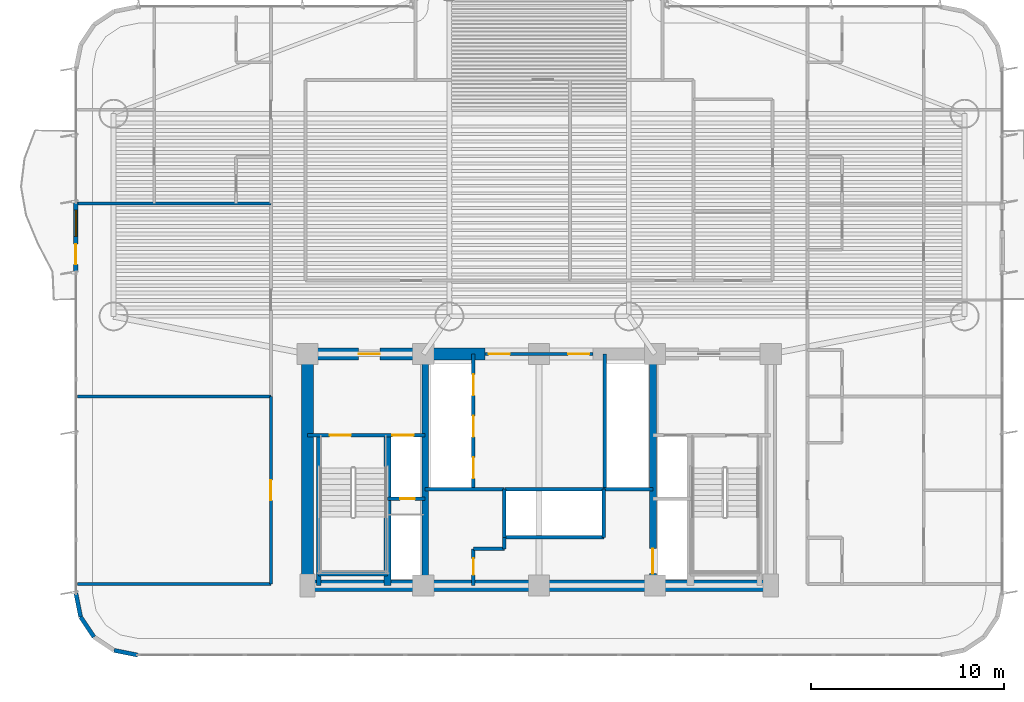
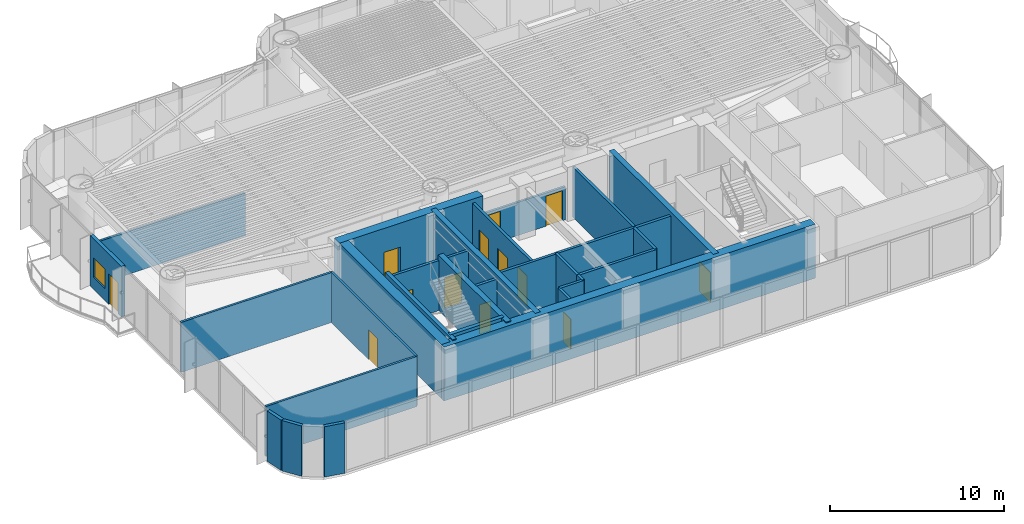
# One storey, part 10 of 18: 30 walls, 13 doors, 1 window, 14 openings.
"""IFC4 building model written with IfcOpenShell, lengths in metres."""

from ifc_helpers import new_model, si_unit, direction, frame, frame_2d, origin, origin_2d, place, context, subcontext, project, spatial, rectangle, extrude, source, transform, mapped, material, layer, layer_set, type_object, element, fill, save


model = new_model("IFC4")

# Units and contexts
model_context = context("Model", 3, precision=1e-05, world=origin(), true_north=direction((0.0, 1.0)))
body_context = subcontext(model_context, "Body", "Model", "MODEL_VIEW")
ifc_project = project(units=[si_unit("LENGTHUNIT", "METRE"), si_unit("AREAUNIT", "SQUARE_METRE"), si_unit("VOLUMEUNIT", "CUBIC_METRE"), si_unit("PLANEANGLEUNIT", "RADIAN"), si_unit("MASSUNIT", "GRAM", prefix="KILO")], contexts=[model_context])

# Site, building, storey
site_placement = place(None, origin())
site = spatial("IfcSite", under=ifc_project, at=site_placement, CompositionType="ELEMENT")
building_placement = place(site_placement, origin())
building = spatial("IfcBuilding", under=site, at=building_placement, Name="Brelvock Crest Care Tower", CompositionType="ELEMENT")
storey_placement = place(building_placement, frame((0.0, 0.0, 72.360107421875)))
storey = spatial("IfcBuildingStorey", under=building, at=storey_placement, Name="L18", CompositionType="ELEMENT", Elevation=72.360107421875)

# Walls
ifc_material_1 = material(Name="Concrete S80 (80 MPa)", Category="concrete")
ifc_layer_1 = layer(ifc_material_1, 0.60009765625, Name="WL-CS1")
ifc_layer_set_1 = layer_set([ifc_layer_1], Name="Concrete S80 (80 MPa)")
wall_type_1 = type_object("IfcWallType", Name="WL-CS1", PredefinedType="SHEAR", material=ifc_layer_set_1)
wall_1_placement = place(storey_placement, frame((48.300048828125, 6.0, 0.0), z_axis=(0.0, 0.0, 1.0), x_axis=(-1.0, 0.0, 0.0)))
element("IfcWall", 1, at=wall_1_placement, inside=storey, type_object=wall_type_1, Name="L18 Core South Shear Wall", PredefinedType="SHEAR", context=body_context, shape_type="SweptSolid", body=[
    extrude(rectangle(XDim=24.60009765625, YDim=0.60009765625, at=frame_2d((12.300048828125, 0.0))), origin(), (0.0, 0.0, 1.0), 3.77978515625),
])
wall_2_placement = place(storey_placement, frame((24.0, 6.0, 0.0), z_axis=(0.0, 0.0, 1.0), x_axis=(0.0, 1.0, 0.0)))
element("IfcWall", 2, at=wall_2_placement, inside=storey, type_object=wall_type_1, Name="L18 Core West Shear Wall", PredefinedType="SHEAR", context=body_context, shape_type="SweptSolid", body=[
    extrude(rectangle(XDim=12.0, YDim=0.60009765625, at=frame_2d((6.0, 0.0))), origin(), (0.0, 0.0, 1.0), 3.77978515625),
])

# Wall, opening, door
wall_3_placement = place(storey_placement, frame((23.699951171875, 18.0, 0.0), z_axis=(0.0, 0.0, 1.0), x_axis=(1.0, 0.0, 0.0)))
wall_3 = element("IfcWall", 3, at=wall_3_placement, inside=storey, type_object=wall_type_1, Name="L18 Core North-West Shear Wall", PredefinedType="SHEAR", context=body_context, shape_type="SweptSolid", body=[
    extrude(rectangle(XDim=9.5, YDim=0.60009765625, at=frame_2d((4.75, 0.0))), origin(), (0.0, 0.0, 1.0), 3.77978515625),
])
opening_1_placement = place(wall_3_placement, frame((2.949951171875, 0.0, 0.0)))
opening_1 = element("IfcOpeningElement", 4, at=opening_1_placement, cuts=wall_3, Name="Opening FD-1", PredefinedType="OPENING", context=body_context, shape_type="SweptSolid", body=[
    extrude(rectangle(XDim=1.10009765625, YDim=2.10009765625, at=origin_2d()), frame((0.550048828125, 0.31005859375, 1.050048828125), z_axis=(0.0, -1.0, 0.0), x_axis=(1.0, 0.0, 0.0)), (0.0, 0.0, 1.0), 0.6201171875),
])
ifc_material_2 = material(Name="Steel Grade 350", Category="steel")
door_type_1 = type_object("IfcDoorType", Name="DR-FFL1", OperationType="NOTDEFINED", PredefinedType="DOOR", material=ifc_material_2)
shared_shape_1 = source(origin(), body_context, "Body", "SweptSolid", [
    extrude(rectangle(XDim=1.10009765625, YDim=2.10009765625, at=origin_2d()), frame((0.550048828125, 0.02490234375, 1.050048828125), z_axis=(0.0, -1.0, 0.0), x_axis=(1.0, 0.0, 0.0)), (0.0, 0.0, 1.0), 0.050048828125),
])
door_1_placement = place(opening_1_placement, origin())
door_1 = element("IfcDoor", 5, at=door_1_placement, inside=storey, type_object=door_type_1, Name="L18 Firefighting Lobby FFL-1 Exit Door", OperationType="SINGLE_SWING_LEFT", OverallHeight=2.10009765625, OverallWidth=1.10009765625, PredefinedType="DOOR", context=body_context, shape_type="MappedRepresentation", body=[
    mapped(shared_shape_1, transform((0.0, 0.0, 0.0), x_axis=(1.0, 0.0, 0.0), y_axis=(0.0, 1.0, 0.0), z_axis=(0.0, 0.0, 1.0), scale=1.0)),
])
fill(opening_1, door_1)

# Wall
ifc_layer_2 = layer(ifc_material_1, 0.35009765625, Name="WL-CS5")
ifc_layer_set_2 = layer_set([ifc_layer_2], Name="Concrete S80 (80 MPa)")
wall_type_2 = type_object("IfcWallType", Name="WL-CS5", PredefinedType="SHEAR", material=ifc_layer_set_2)
wall_4_placement = place(storey_placement, frame((30.10009765625, 6.0, 0.0), z_axis=(0.0, 0.0, 1.0), x_axis=(0.0, 1.0, 0.0)))
element("IfcWall", 6, at=wall_4_placement, inside=storey, type_object=wall_type_2, Name="L18 Core Internal Web Wall West", PredefinedType="SHEAR", context=body_context, shape_type="SweptSolid", body=[
    extrude(rectangle(XDim=12.0, YDim=0.35009765625, at=frame_2d((6.0, 0.0))), origin(), (0.0, 0.0, 1.0), 3.77978515625),
])

# Wall, opening, door
wall_5_placement = place(storey_placement, frame((41.89990234375, 18.0, 0.0), z_axis=(0.0, 0.0, 1.0), x_axis=(0.0, -1.0, 0.0)))
wall_5 = element("IfcWall", 7, at=wall_5_placement, inside=storey, type_object=wall_type_2, Name="L18 Core Internal Web Wall East", PredefinedType="SHEAR", context=body_context, shape_type="SweptSolid", body=[
    extrude(rectangle(XDim=12.0, YDim=0.35009765625, at=frame_2d((6.0, 0.0))), origin(), (0.0, 0.0, 1.0), 3.77978515625),
])
opening_2_placement = place(wall_5_placement, frame((10.080078125, 0.0, 0.0)))
opening_2 = element("IfcOpeningElement", 8, at=opening_2_placement, cuts=wall_5, Name="Opening LD-S", PredefinedType="OPENING", context=body_context, shape_type="SweptSolid", body=[
    extrude(rectangle(XDim=1.300048828125, YDim=2.10009765625, at=origin_2d()), frame((0.64990234375, 0.18505859375, 1.050048828125), z_axis=(0.0, -1.0, 0.0), x_axis=(1.0, 0.0, 0.0)), (0.0, 0.0, 1.0), 0.3701171875),
])
door_type_2 = type_object("IfcDoorType", Name="DR-LDS1", OperationType="NOTDEFINED", PredefinedType="DOOR", material=ifc_material_2)
shared_shape_2 = source(origin(), body_context, "Body", "SweptSolid", [
    extrude(rectangle(XDim=1.300048828125, YDim=2.10009765625, at=origin_2d()), frame((0.64990234375, 0.02490234375, 1.050048828125), z_axis=(0.0, -1.0, 0.0), x_axis=(1.0, 0.0, 0.0)), (0.0, 0.0, 1.0), 0.050048828125),
])
door_2_placement = place(opening_2_placement, origin())
door_2 = element("IfcDoor", 9, at=door_2_placement, inside=storey, type_object=door_type_2, Name="L18 Clinical Bed Lift SL-1 Landing Door", OperationType="SLIDING_TO_LEFT", OverallHeight=2.10009765625, OverallWidth=1.300048828125, PredefinedType="DOOR", context=body_context, shape_type="MappedRepresentation", body=[
    mapped(shared_shape_2, transform((0.0, 0.0, 0.0), x_axis=(1.0, 0.0, 0.0), y_axis=(0.0, 1.0, 0.0), z_axis=(0.0, 0.0, 1.0), scale=1.0)),
])
fill(opening_2, door_2)

# Walls
wall_6_placement = place(storey_placement, frame((28.14990234375, 6.0, 0.0), z_axis=(0.0, 0.0, 1.0), x_axis=(0.0, 1.0, 0.0)))
element("IfcWall", 10, at=wall_6_placement, inside=storey, type_object=wall_type_2, Name="L18 Core Stair ST-1 East Shear Wall", PredefinedType="SHEAR", context=body_context, shape_type="SweptSolid", body=[
    extrude(rectangle(XDim=7.780029296875, YDim=0.35009765625, at=frame_2d((3.89013671875, 0.0))), origin(), (0.0, 0.0, 1.0), 3.849853515625),
])
ifc_layer_3 = layer(ifc_material_1, 0.25, Name="WL-CS6")
ifc_layer_set_3 = layer_set([ifc_layer_3], Name="Concrete S80 (80 MPa)")
wall_type_3 = type_object("IfcWallType", Name="WL-CS6", PredefinedType="SHEAR", material=ifc_layer_set_3)
wall_7_placement = place(storey_placement, frame((24.580078125, 6.0, 0.0), z_axis=(0.0, 0.0, 1.0), x_axis=(0.0, 1.0, 0.0)))
element("IfcWall", 11, at=wall_7_placement, inside=storey, type_object=wall_type_3, Name="L18 Core Stair ST-1 West Shear Wall", PredefinedType="SHEAR", context=body_context, shape_type="SweptSolid", body=[
    extrude(rectangle(XDim=7.780029296875, YDim=0.25, at=frame_2d((3.89013671875, 0.0))), origin(), (0.0, 0.0, 1.0), 3.849853515625),
])
wall_8_placement = place(storey_placement, frame((24.580078125, 6.6201171875, 0.0), z_axis=(0.0, 0.0, 1.0), x_axis=(1.0, 0.0, 0.0)))
element("IfcWall", 12, at=wall_8_placement, inside=storey, type_object=wall_type_3, Name="L18 Core Stair ST-1 South Shear Wall", PredefinedType="SHEAR", context=body_context, shape_type="SweptSolid", body=[
    extrude(rectangle(XDim=3.56982421875, YDim=0.25, at=frame_2d((1.784912109375, 0.0))), origin(), (0.0, 0.0, 1.0), 3.849853515625),
])

# Wall, openings, door, window
ifc_material_3 = material(Name="Precast concrete N40 (40 MPa)", Category="concrete")
ifc_layer_4 = layer(ifc_material_3, 0.239990234375, Name="WL-EX1")
ifc_layer_set_4 = layer_set([ifc_layer_4], Name="Precast concrete N40 (40 MPa)")
wall_type_4 = type_object("IfcWallType", Name="WL-EX1", PredefinedType="SOLIDWALL", material=ifc_layer_set_4)
wall_9_placement = place(storey_placement, frame((12.0, 22.25, 0.0), z_axis=(0.0, 0.0, 1.0), x_axis=(0.0, 1.0, 0.0)))
wall_9 = element("IfcWall", 13, at=wall_9_placement, inside=storey, type_object=wall_type_4, Name="L18 Exterior Spandrel Wall WL-BAL-L18-W", PredefinedType="SOLIDWALL", context=body_context, shape_type="SweptSolid", body=[
    extrude(rectangle(XDim=3.60009765625, YDim=0.239990234375, at=frame_2d((1.800048828125, 0.0))), origin(), (0.0, 0.0, 1.0), 3.52978515625),
])
opening_3_placement = place(wall_9_placement, frame((0.39990234375, 0.0, 0.0)))
opening_3 = element("IfcOpeningElement", 14, at=opening_3_placement, cuts=wall_9, Name="Opening BD-1", PredefinedType="OPENING", context=body_context, shape_type="SweptSolid", body=[
    extrude(rectangle(XDim=1.050048828125, YDim=2.14990234375, at=origin_2d()), frame((0.52490234375, 0.1298828125, 1.074951171875), z_axis=(0.0, -1.0, 0.0), x_axis=(1.0, 0.0, 0.0)), (0.0, 0.0, 1.0), 0.260009765625),
])
opening_4_placement = place(wall_9_placement, frame((1.85009765625, 0.0, 0.85009765625)))
opening_4 = element("IfcOpeningElement", 15, at=opening_4_placement, cuts=wall_9, Name="Opening W-01", PredefinedType="OPENING", context=body_context, shape_type="SweptSolid", body=[
    extrude(rectangle(XDim=1.35009765625, YDim=1.35009765625, at=origin_2d()), frame((0.675048828125, 0.1298828125, 0.675048828125), z_axis=(0.0, -1.0, 0.0), x_axis=(1.0, 0.0, 0.0)), (0.0, 0.0, 1.0), 0.260009765625),
])
ifc_material_4 = material(Name="Dark Glass Double Glazed Low-E", Category="glass")
door_type_3 = type_object("IfcDoorType", Name="DR-BAL1", OperationType="NOTDEFINED", PredefinedType="DOOR", material=ifc_material_4)
shared_shape_3 = source(origin(), body_context, "Body", "SweptSolid", [
    extrude(rectangle(XDim=1.050048828125, YDim=2.14990234375, at=origin_2d()), frame((0.52490234375, 0.02490234375, 1.074951171875), z_axis=(0.0, -1.0, 0.0), x_axis=(1.0, 0.0, 0.0)), (0.0, 0.0, 1.0), 0.050048828125),
])
door_3_placement = place(opening_3_placement, origin())
door_3 = element("IfcDoor", 16, at=door_3_placement, inside=storey, type_object=door_type_3, Name="L18 W Wave Balcony Glazed Door", OperationType="SINGLE_SWING_LEFT", OverallHeight=2.14990234375, OverallWidth=1.050048828125, PredefinedType="DOOR", context=body_context, shape_type="MappedRepresentation", body=[
    mapped(shared_shape_3, transform((0.0, 0.0, 0.0), x_axis=(1.0, 0.0, 0.0), y_axis=(0.0, 1.0, 0.0), z_axis=(0.0, 0.0, 1.0), scale=1.0)),
])
fill(opening_3, door_3)
window_type = type_object("IfcWindowType", Name="WN-EX1", PartitioningType="SINGLE_PANEL", PredefinedType="WINDOW", material=ifc_material_4)
shared_shape_4 = source(origin(), body_context, "Body", "SweptSolid", [
    extrude(rectangle(XDim=1.35009765625, YDim=1.35009765625, at=origin_2d()), frame((0.675048828125, 0.030029296875, 0.675048828125), z_axis=(0.0, -1.0, 0.0), x_axis=(1.0, 0.0, 0.0)), (0.0, 0.0, 1.0), 0.06005859375),
])
window_placement = place(opening_4_placement, origin())
window = element("IfcWindow", 17, at=window_placement, inside=storey, type_object=window_type, Name="L18 W Suite Casement Window", OverallHeight=1.35009765625, OverallWidth=1.35009765625, PartitioningType="SINGLE_PANEL", PredefinedType="WINDOW", context=body_context, shape_type="MappedRepresentation", body=[
    mapped(shared_shape_4, transform((0.0, 0.0, 0.0), x_axis=(1.0, 0.0, 0.0), y_axis=(0.0, 1.0, 0.0), z_axis=(0.0, 0.0, 1.0), scale=1.0)),
])
fill(opening_4, window)

# Walls
ifc_layer_5 = layer(ifc_material_3, 0.215087890625, Name="WL-EX2")
ifc_layer_set_5 = layer_set([ifc_layer_5], Name="Precast concrete N40 (40 MPa)")
wall_type_5 = type_object("IfcWallType", Name="WL-EX2", PredefinedType="SOLIDWALL", material=ifc_layer_set_5)
for number, where, z_axis, x_axis, name in (
    (18, (15.199951171875, 2.39990234375, 0.0), (0.0, 0.0, 1.0), (-0.980775717779, 0.195138390419, 0.0), "L18 Rounded Corner Wall 09"),
    (19, (12.937255859375, 3.33740234375, 0.0), (0.0, 0.0, 1.0), (-0.555557312883, 0.831478245117, 0.0), "L18 Rounded Corner Wall 11"),
    (20, (12.24365234375, 4.37548828125, 0.0), (0.0, 0.0, 1.0), (-0.195138390419, 0.980775717779, 0.0), "L18 Rounded Corner Wall 12"),
):
    element("IfcWall", number, at=place(storey_placement, frame(where, z_axis=z_axis, x_axis=x_axis)), inside=storey, type_object=wall_type_5, Name=name, PredefinedType="SOLIDWALL", context=body_context, shape_type="SweptSolid", body=[
        extrude(rectangle(XDim=1.24853515625, YDim=0.215087890625, at=frame_2d((0.624267578125, 0.0))), origin(), (0.0, 0.0, 1.0), 3.52978515625),
    ])

# Wall, openings, doors
ifc_material_5 = material(Name="Masonry Blockwork Acoustic Partition", Category="masonry")
ifc_layer_6 = layer(ifc_material_5, 0.14990234375, Name="WL-INT1")
ifc_layer_set_6 = layer_set([ifc_layer_6], Name="Masonry Blockwork Acoustic Partition")
wall_type_6 = type_object("IfcWallType", Name="WL-INT1", PredefinedType="PARTITIONING", material=ifc_layer_set_6)
wall_10_placement = place(storey_placement, frame((33.199951171875, 18.0, 0.0), z_axis=(0.0, 0.0, 1.0), x_axis=(1.0, 0.0, 0.0)))
wall_10 = element("IfcWall", 21, at=wall_10_placement, inside=storey, type_object=wall_type_6, Name="L18 Interior Wall WL-CORE-NPORT-L18", PredefinedType="PARTITIONING", context=body_context, shape_type="SweptSolid", body=[
    extrude(rectangle(XDim=5.60009765625, YDim=0.14990234375, at=frame_2d((2.800048828125, 0.0))), origin(), (0.0, 0.0, 1.0), 2.31494140625),
])
opening_5_placement = place(wall_10_placement, frame((0.18994140625, 0.0, 0.0)))
opening_5 = element("IfcOpeningElement", 22, at=opening_5_placement, cuts=wall_10, Name="Opening FD-1", PredefinedType="OPENING", context=body_context, shape_type="SweptSolid", body=[
    extrude(rectangle(XDim=1.10009765625, YDim=2.10009765625, at=origin_2d()), frame((0.550048828125, 0.0849609375, 1.050048828125), z_axis=(0.0, -1.0, 0.0), x_axis=(1.0, 0.0, 0.0)), (0.0, 0.0, 1.0), 0.169921875),
])
opening_6_placement = place(wall_10_placement, frame((4.31005859375, 0.0, 0.0)))
opening_6 = element("IfcOpeningElement", 23, at=opening_6_placement, cuts=wall_10, Name="Opening FD-1", PredefinedType="OPENING", context=body_context, shape_type="SweptSolid", body=[
    extrude(rectangle(XDim=1.10009765625, YDim=2.10009765625, at=origin_2d()), frame((0.550048828125, 0.0849609375, 1.050048828125), z_axis=(0.0, -1.0, 0.0), x_axis=(1.0, 0.0, 0.0)), (0.0, 0.0, 1.0), 0.169921875),
])
door_4_placement = place(opening_5_placement, origin())
door_4 = element("IfcDoor", 24, at=door_4_placement, inside=storey, type_object=door_type_1, Name="L18 Lift Lobby North Smoke Door West", OperationType="SINGLE_SWING_LEFT", OverallHeight=2.10009765625, OverallWidth=1.10009765625, PredefinedType="DOOR", context=body_context, shape_type="MappedRepresentation", body=[
    mapped(shared_shape_1, transform((0.0, 0.0, 0.0), x_axis=(1.0, 0.0, 0.0), y_axis=(0.0, 1.0, 0.0), z_axis=(0.0, 0.0, 1.0), scale=1.0)),
])
fill(opening_5, door_4)
door_5_placement = place(opening_6_placement, origin())
door_5 = element("IfcDoor", 25, at=door_5_placement, inside=storey, type_object=door_type_1, Name="L18 Lift Lobby North Smoke Door East", OperationType="SINGLE_SWING_RIGHT", OverallHeight=2.10009765625, OverallWidth=1.10009765625, PredefinedType="DOOR", context=body_context, shape_type="MappedRepresentation", body=[
    mapped(shared_shape_1, transform((0.0, 0.0, 0.0), x_axis=(1.0, 0.0, 0.0), y_axis=(0.0, 1.0, 0.0), z_axis=(0.0, 0.0, 1.0), scale=1.0)),
])
fill(opening_6, door_5)

# Walls
for number, where, z_axis, x_axis, name in (
    (26, (12.080078125, 6.080078125, 0.0), (0.0, 0.0, 1.0), (1.0, 0.0, 0.0), "L18 Interior Wall WL-BX-L18-WWC1-S"),
    (27, (12.080078125, 15.800048828125, 0.0), (0.0, 0.0, 1.0), (1.0, 0.0, 0.0), "L18 Interior Wall WL-BX-L18-WWC1-N"),
):
    element("IfcWall", number, at=place(storey_placement, frame(where, z_axis=z_axis, x_axis=x_axis)), inside=storey, type_object=wall_type_6, Name=name, PredefinedType="PARTITIONING", context=body_context, shape_type="SweptSolid", body=[
        extrude(rectangle(XDim=10.02001953125, YDim=0.14990234375, at=frame_2d((5.010009765625, 0.0))), origin(), (0.0, 0.0, 1.0), 3.5),
    ])
wall_11_placement = place(storey_placement, frame((12.080078125, 25.800048828125, 0.0), z_axis=(0.0, 0.0, 1.0), x_axis=(1.0, 0.0, 0.0)))
element("IfcWall", 28, at=wall_11_placement, inside=storey, type_object=wall_type_6, Name="L18 Interior Wall WL-BX-L18-FL-WW3-S", PredefinedType="PARTITIONING", context=body_context, shape_type="SweptSolid", body=[
    extrude(rectangle(XDim=10.02001953125, YDim=0.14990234375, at=frame_2d((5.010009765625, 0.0))), origin(), (0.0, 0.0, 1.0), 2.98193359375),
])

# Wall, opening, door
wall_12_placement = place(storey_placement, frame((22.10009765625, 6.080078125, 0.0), z_axis=(0.0, 0.0, 1.0), x_axis=(0.0, 1.0, 0.0)))
wall_12 = element("IfcWall", 29, at=wall_12_placement, inside=storey, type_object=wall_type_6, Name="L18 Interior Wall WL-RM-L18-WWC1", PredefinedType="PARTITIONING", context=body_context, shape_type="SweptSolid", body=[
    extrude(rectangle(XDim=9.719970703125, YDim=0.14990234375, at=frame_2d((4.85986328125, 0.0))), origin(), (0.0, 0.0, 1.0), 3.5),
])
opening_7_placement = place(wall_12_placement, frame((4.3349609375, 0.0, 0.0)))
opening_7 = element("IfcOpeningElement", 30, at=opening_7_placement, cuts=wall_12, Name="Opening CLD-1", PredefinedType="OPENING", context=body_context, shape_type="SweptSolid", body=[
    extrude(rectangle(XDim=1.050048828125, YDim=2.10009765625, at=origin_2d()), frame((0.52490234375, 0.0849609375, 1.050048828125), z_axis=(0.0, -1.0, 0.0), x_axis=(1.0, 0.0, 0.0)), (0.0, 0.0, 1.0), 0.169921875),
])
ifc_material_6 = material(Name="Engineered Hardwood Timber", Category="wood")
door_type_4 = type_object("IfcDoorType", Name="DR-CLN1", OperationType="NOTDEFINED", PredefinedType="DOOR", material=ifc_material_6)
shared_shape_5 = source(origin(), body_context, "Body", "SweptSolid", [
    extrude(rectangle(XDim=1.050048828125, YDim=2.10009765625, at=origin_2d()), frame((0.52490234375, 0.02490234375, 1.050048828125), z_axis=(0.0, -1.0, 0.0), x_axis=(1.0, 0.0, 0.0)), (0.0, 0.0, 1.0), 0.050048828125),
])
door_6_placement = place(opening_7_placement, origin())
door_6 = element("IfcDoor", 31, at=door_6_placement, inside=storey, type_object=door_type_4, Name="L18 Hydro-Balance Physiotherapy Clinic Door WWC1", OperationType="SINGLE_SWING_LEFT", OverallHeight=2.10009765625, OverallWidth=1.050048828125, PredefinedType="DOOR", context=body_context, shape_type="MappedRepresentation", body=[
    mapped(shared_shape_5, transform((0.0, 0.0, 0.0), x_axis=(1.0, 0.0, 0.0), y_axis=(0.0, 1.0, 0.0), z_axis=(0.0, 0.0, 1.0), scale=1.0)),
])
fill(opening_7, door_6)

# Walls
ifc_layer_7 = layer(ifc_material_5, 0.179931640625, Name="WL-SHF1")
ifc_layer_set_7 = layer_set([ifc_layer_7], Name="Masonry Blockwork Acoustic Partition")
wall_type_7 = type_object("IfcWallType", Name="WL-SHF1", PredefinedType="PARTITIONING", material=ifc_layer_set_7)
for number, where, z_axis, x_axis, name in (
    (32, (34.199951171875, 11.0, 0.0), (0.0, 0.0, 1.0), (1.0, 0.0, 0.0), "L18 Interior Wall WL-PLM-SHF-L18"),
    (33, (34.199951171875, 8.5, 0.0), (0.0, 0.0, 1.0), (1.0, 0.0, 0.0), "L18 Interior Wall WL-PLM-S-L18"),
):
    element("IfcWall", number, at=place(storey_placement, frame(where, z_axis=z_axis, x_axis=x_axis)), inside=storey, type_object=wall_type_7, Name=name, PredefinedType="PARTITIONING", context=body_context, shape_type="SweptSolid", body=[
        extrude(rectangle(XDim=5.150146484375, YDim=0.179931640625, at=frame_2d((2.5751953125, 0.0))), origin(), (0.0, 0.0, 1.0), 3.5),
    ])
for number, where, z_axis, x_axis, name in (
    (34, (34.199951171875, 8.5, 0.0), (0.0, 0.0, 1.0), (0.0, 1.0, 0.0), "L18 Interior Wall WL-PLM-W-L18"),
    (35, (39.35009765625, 8.5, 0.0), (0.0, 0.0, 1.0), (0.0, 1.0, 0.0), "L18 Interior Wall WL-PLM-E-L18"),
):
    element("IfcWall", number, at=place(storey_placement, frame(where, z_axis=z_axis, x_axis=x_axis)), inside=storey, type_object=wall_type_7, Name=name, PredefinedType="PARTITIONING", context=body_context, shape_type="SweptSolid", body=[
        extrude(rectangle(XDim=2.5, YDim=0.179931640625, at=frame_2d((1.25, 0.0))), origin(), (0.0, 0.0, 1.0), 3.5),
    ])
wall_13_placement = place(storey_placement, frame((39.39990234375, 11.0, 0.0), z_axis=(0.0, 0.0, 1.0), x_axis=(0.0, 1.0, 0.0)))
element("IfcWall", 36, at=wall_13_placement, inside=storey, type_object=wall_type_7, Name="L18 Interior Wall WL-PLH-SHF-L18", PredefinedType="PARTITIONING", context=body_context, shape_type="SweptSolid", body=[
    extrude(rectangle(XDim=7.0, YDim=0.179931640625, at=frame_2d((3.5, 0.0))), origin(), (0.0, 0.0, 1.0), 3.5),
])
wall_14_placement = place(storey_placement, frame((30.10009765625, 10.97998046875, 0.0), z_axis=(0.0, 0.0, 1.0), x_axis=(1.0, 0.0, 0.0)))
element("IfcWall", 37, at=wall_14_placement, inside=storey, type_object=wall_type_7, Name="L18 Interior Wall WL-CSBW-N-L18", PredefinedType="PARTITIONING", context=body_context, shape_type="SweptSolid", body=[
    extrude(rectangle(XDim=4.079833984375, YDim=0.179931640625, at=frame_2d((2.0400390625, 0.0))), origin(), (0.0, 0.0, 1.0), 3.5),
])
wall_15_placement = place(storey_placement, frame((34.199951171875, 7.89990234375, 0.0), z_axis=(0.0, 0.0, 1.0), x_axis=(0.0, 1.0, 0.0)))
element("IfcWall", 38, at=wall_15_placement, inside=storey, type_object=wall_type_7, Name="L18 Interior Wall WL-CSBW-E2-L18", PredefinedType="PARTITIONING", context=body_context, shape_type="SweptSolid", body=[
    extrude(rectangle(XDim=0.60009765625, YDim=0.179931640625, at=frame_2d((0.300048828125, 0.0))), origin(), (0.0, 0.0, 1.0), 3.5),
])
wall_16_placement = place(storey_placement, frame((32.60009765625, 7.89990234375, 0.0), z_axis=(0.0, 0.0, 1.0), x_axis=(1.0, 0.0, 0.0)))
element("IfcWall", 39, at=wall_16_placement, inside=storey, type_object=wall_type_7, Name="L18 Interior Wall WL-CSBW-S2-L18", PredefinedType="PARTITIONING", context=body_context, shape_type="SweptSolid", body=[
    extrude(rectangle(XDim=1.599853515625, YDim=0.179931640625, at=frame_2d((0.7998046875, 0.0))), origin(), (0.0, 0.0, 1.0), 3.5),
])

# Wall, opening, door
wall_17_placement = place(storey_placement, frame((32.60009765625, 6.0, 0.0), z_axis=(0.0, 0.0, 1.0), x_axis=(0.0, 1.0, 0.0)))
wall_17 = element("IfcWall", 40, at=wall_17_placement, inside=storey, type_object=wall_type_7, Name="L18 Interior Wall WL-CSBW-E1-L18", PredefinedType="PARTITIONING", context=body_context, shape_type="SweptSolid", body=[
    extrude(rectangle(XDim=1.89990234375, YDim=0.179931640625, at=frame_2d((0.949951171875, 0.0))), origin(), (0.0, 0.0, 1.0), 3.5),
])
opening_8_placement = place(wall_17_placement, frame((0.550048828125, 0.0, 0.0)))
opening_8 = element("IfcOpeningElement", 41, at=opening_8_placement, cuts=wall_17, Name="Opening ID-1", PredefinedType="OPENING", context=body_context, shape_type="SweptSolid", body=[
    extrude(rectangle(XDim=0.860107421875, YDim=2.10009765625, at=origin_2d()), frame((0.43017578125, 0.10009765625, 1.050048828125), z_axis=(0.0, -1.0, 0.0), x_axis=(1.0, 0.0, 0.0)), (0.0, 0.0, 1.0), 0.199951171875),
])
door_type_5 = type_object("IfcDoorType", Name="DR-INT1", OperationType="NOTDEFINED", PredefinedType="DOOR", material=ifc_material_6)
shared_shape_6 = source(origin(), body_context, "Body", "SweptSolid", [
    extrude(rectangle(XDim=0.860107421875, YDim=2.10009765625, at=origin_2d()), frame((0.43017578125, 0.02490234375, 1.050048828125), z_axis=(0.0, -1.0, 0.0), x_axis=(1.0, 0.0, 0.0)), (0.0, 0.0, 1.0), 0.050048828125),
])
door_7_placement = place(opening_8_placement, origin())
door_7 = element("IfcDoor", 42, at=door_7_placement, inside=storey, type_object=door_type_5, Name="DR-CSBW-L18", OperationType="SINGLE_SWING_LEFT", OverallHeight=2.10009765625, OverallWidth=0.860107421875, PredefinedType="DOOR", context=body_context, shape_type="MappedRepresentation", body=[
    mapped(shared_shape_6, transform((0.0, 0.0, 0.0), x_axis=(1.0, 0.0, 0.0), y_axis=(0.0, 1.0, 0.0), z_axis=(0.0, 0.0, 1.0), scale=1.0)),
])
fill(opening_8, door_7)

# Wall
wall_18_placement = place(storey_placement, frame((39.35009765625, 10.97998046875, 0.0), z_axis=(0.0, 0.0, 1.0), x_axis=(1.0, 0.0, 0.0)))
element("IfcWall", 43, at=wall_18_placement, inside=storey, type_object=wall_type_7, Name="L18 Interior Wall WL-CSBE-N-L18", PredefinedType="PARTITIONING", context=body_context, shape_type="SweptSolid", body=[
    extrude(rectangle(XDim=2.5498046875, YDim=0.179931640625, at=frame_2d((1.27490234375, 0.0))), origin(), (0.0, 0.0, 1.0), 3.5),
])

# Wall, openings, doors
wall_19_placement = place(storey_placement, frame((24.0, 13.780029296875, 0.0), z_axis=(0.0, 0.0, 1.0), x_axis=(1.0, 0.0, 0.0)))
wall_19 = element("IfcWall", 44, at=wall_19_placement, inside=storey, type_object=wall_type_7, Name="L18 Interior Wall WL-ST1-N-L18", PredefinedType="PARTITIONING", context=body_context, shape_type="SweptSolid", body=[
    extrude(rectangle(XDim=6.10009765625, YDim=0.179931640625, at=frame_2d((3.050048828125, 0.0))), origin(), (0.0, 0.0, 1.0), 3.5),
])
opening_9_placement = place(wall_19_placement, frame((1.14990234375, 0.0, 0.0)))
opening_9 = element("IfcOpeningElement", 45, at=opening_9_placement, cuts=wall_19, Name="Opening SD-1", PredefinedType="OPENING", context=body_context, shape_type="SweptSolid", body=[
    extrude(rectangle(XDim=1.10009765625, YDim=2.10009765625, at=origin_2d()), frame((0.550048828125, 0.10009765625, 1.050048828125), z_axis=(0.0, -1.0, 0.0), x_axis=(1.0, 0.0, 0.0)), (0.0, 0.0, 1.0), 0.199951171875),
])
opening_10_placement = place(wall_19_placement, frame((4.39990234375, 0.0, 0.0)))
opening_10 = element("IfcOpeningElement", 46, at=opening_10_placement, cuts=wall_19, Name="Opening LD", PredefinedType="OPENING", context=body_context, shape_type="SweptSolid", body=[
    extrude(rectangle(XDim=1.10009765625, YDim=2.10009765625, at=origin_2d()), frame((0.550048828125, 0.10009765625, 1.050048828125), z_axis=(0.0, -1.0, 0.0), x_axis=(1.0, 0.0, 0.0)), (0.0, 0.0, 1.0), 0.199951171875),
])
door_type_6 = type_object("IfcDoorType", Name="DR-ST1", OperationType="NOTDEFINED", PredefinedType="DOOR", material=ifc_material_2)
shared_shape_7 = source(origin(), body_context, "Body", "SweptSolid", [
    extrude(rectangle(XDim=1.10009765625, YDim=2.10009765625, at=origin_2d()), frame((0.550048828125, 0.02490234375, 1.050048828125), z_axis=(0.0, -1.0, 0.0), x_axis=(1.0, 0.0, 0.0)), (0.0, 0.0, 1.0), 0.050048828125),
])
door_8_placement = place(opening_9_placement, origin())
door_8 = element("IfcDoor", 47, at=door_8_placement, inside=storey, type_object=door_type_6, Name="L18 Fire Stair ST-1 Door", OperationType="SINGLE_SWING_LEFT", OverallHeight=2.10009765625, OverallWidth=1.10009765625, PredefinedType="DOOR", context=body_context, shape_type="MappedRepresentation", body=[
    mapped(shared_shape_7, transform((0.0, 0.0, 0.0), x_axis=(1.0, 0.0, 0.0), y_axis=(0.0, 1.0, 0.0), z_axis=(0.0, 0.0, 1.0), scale=1.0)),
])
fill(opening_9, door_8)
door_type_7 = type_object("IfcDoorType", Name="DR-LD1", OperationType="NOTDEFINED", PredefinedType="DOOR", material=ifc_material_2)
shared_shape_8 = source(origin(), body_context, "Body", "SweptSolid", [
    extrude(rectangle(XDim=1.10009765625, YDim=2.10009765625, at=origin_2d()), frame((0.550048828125, 0.02490234375, 1.050048828125), z_axis=(0.0, -1.0, 0.0), x_axis=(1.0, 0.0, 0.0)), (0.0, 0.0, 1.0), 0.050048828125),
])
door_9_placement = place(opening_10_placement, origin())
door_9 = element("IfcDoor", 48, at=door_9_placement, inside=storey, type_object=door_type_7, Name="L18 Firefighting Lift FFL-1 Landing Door", OperationType="SLIDING_TO_LEFT", OverallHeight=2.10009765625, OverallWidth=1.10009765625, PredefinedType="DOOR", context=body_context, shape_type="MappedRepresentation", body=[
    mapped(shared_shape_8, transform((0.0, 0.0, 0.0), x_axis=(1.0, 0.0, 0.0), y_axis=(0.0, 1.0, 0.0), z_axis=(0.0, 0.0, 1.0), scale=1.0)),
])
fill(opening_10, door_9)

# Wall, opening, door
wall_20_placement = place(storey_placement, frame((28.14990234375, 10.5, 0.0), z_axis=(0.0, 0.0, 1.0), x_axis=(1.0, 0.0, 0.0)))
wall_20 = element("IfcWall", 49, at=wall_20_placement, inside=storey, type_object=wall_type_7, Name="L18 Interior Wall WL-FFH1-S-L18", PredefinedType="PARTITIONING", context=body_context, shape_type="SweptSolid", body=[
    extrude(rectangle(XDim=1.9501953125, YDim=0.179931640625, at=frame_2d((0.97509765625, 0.0))), origin(), (0.0, 0.0, 1.0), 3.5),
])
opening_11_placement = place(wall_20_placement, frame((0.64990234375, 0.0, 0.0)))
opening_11 = element("IfcOpeningElement", 50, at=opening_11_placement, cuts=wall_20, Name="Opening RD-1", PredefinedType="OPENING", context=body_context, shape_type="SweptSolid", body=[
    extrude(rectangle(XDim=0.760009765625, YDim=2.050048828125, at=origin_2d()), frame((0.3798828125, 0.10009765625, 1.02490234375), z_axis=(0.0, -1.0, 0.0), x_axis=(1.0, 0.0, 0.0)), (0.0, 0.0, 1.0), 0.199951171875),
])
door_type_8 = type_object("IfcDoorType", Name="DR-RIS1", OperationType="NOTDEFINED", PredefinedType="DOOR", material=ifc_material_2)
shared_shape_9 = source(origin(), body_context, "Body", "SweptSolid", [
    extrude(rectangle(XDim=0.760009765625, YDim=2.050048828125, at=origin_2d()), frame((0.3798828125, 0.02490234375, 1.02490234375), z_axis=(0.0, -1.0, 0.0), x_axis=(1.0, 0.0, 0.0)), (0.0, 0.0, 1.0), 0.050048828125),
])
door_10_placement = place(opening_11_placement, origin())
door_10 = element("IfcDoor", 51, at=door_10_placement, inside=storey, type_object=door_type_8, Name="L18 Wet Fire Riser Access Door", OperationType="SINGLE_SWING_LEFT", OverallHeight=2.050048828125, OverallWidth=0.760009765625, PredefinedType="DOOR", context=body_context, shape_type="MappedRepresentation", body=[
    mapped(shared_shape_9, transform((0.0, 0.0, 0.0), x_axis=(1.0, 0.0, 0.0), y_axis=(0.0, 1.0, 0.0), z_axis=(0.0, 0.0, 1.0), scale=1.0)),
])
fill(opening_11, door_10)

# Wall, openings, doors
wall_21_placement = place(storey_placement, frame((32.60009765625, 11.0, 0.0), z_axis=(0.0, 0.0, 1.0), x_axis=(0.0, 1.0, 0.0)))
wall_21 = element("IfcWall", 52, at=wall_21_placement, inside=storey, type_object=wall_type_7, Name="L18 Interior Wall WL-PLL-BANK-L18", PredefinedType="PARTITIONING", context=body_context, shape_type="SweptSolid", body=[
    extrude(rectangle(XDim=7.0, YDim=0.179931640625, at=frame_2d((3.5, 0.0))), origin(), (0.0, 0.0, 1.0), 3.5),
])
opening_12_placement = place(wall_21_placement, frame((0.550048828125, 0.0, 0.0)))
opening_12 = element("IfcOpeningElement", 53, at=opening_12_placement, cuts=wall_21, Name="Opening LD", PredefinedType="OPENING", context=body_context, shape_type="SweptSolid", body=[
    extrude(rectangle(XDim=1.10009765625, YDim=2.10009765625, at=origin_2d()), frame((0.550048828125, 0.10009765625, 1.050048828125), z_axis=(0.0, -1.0, 0.0), x_axis=(1.0, 0.0, 0.0)), (0.0, 0.0, 1.0), 0.199951171875),
])
opening_13_placement = place(wall_21_placement, frame((2.699951171875, 0.0, 0.0)))
opening_13 = element("IfcOpeningElement", 54, at=opening_13_placement, cuts=wall_21, Name="Opening LD", PredefinedType="OPENING", context=body_context, shape_type="SweptSolid", body=[
    extrude(rectangle(XDim=1.10009765625, YDim=2.10009765625, at=origin_2d()), frame((0.550048828125, 0.10009765625, 1.050048828125), z_axis=(0.0, -1.0, 0.0), x_axis=(1.0, 0.0, 0.0)), (0.0, 0.0, 1.0), 0.199951171875),
])
opening_14_placement = place(wall_21_placement, frame((4.85009765625, 0.0, 0.0)))
opening_14 = element("IfcOpeningElement", 55, at=opening_14_placement, cuts=wall_21, Name="Opening LD", PredefinedType="OPENING", context=body_context, shape_type="SweptSolid", body=[
    extrude(rectangle(XDim=1.10009765625, YDim=2.10009765625, at=origin_2d()), frame((0.550048828125, 0.10009765625, 1.050048828125), z_axis=(0.0, -1.0, 0.0), x_axis=(1.0, 0.0, 0.0)), (0.0, 0.0, 1.0), 0.199951171875),
])
door_11_placement = place(opening_12_placement, origin())
door_11 = element("IfcDoor", 56, at=door_11_placement, inside=storey, type_object=door_type_7, Name="L18 Lift PL-L1 Landing Door", OperationType="SLIDING_TO_LEFT", OverallHeight=2.10009765625, OverallWidth=1.10009765625, PredefinedType="DOOR", context=body_context, shape_type="MappedRepresentation", body=[
    mapped(shared_shape_8, transform((0.0, 0.0, 0.0), x_axis=(1.0, 0.0, 0.0), y_axis=(0.0, 1.0, 0.0), z_axis=(0.0, 0.0, 1.0), scale=1.0)),
])
fill(opening_12, door_11)
door_12_placement = place(opening_13_placement, origin())
door_12 = element("IfcDoor", 57, at=door_12_placement, inside=storey, type_object=door_type_7, Name="L18 Lift PL-L2 Landing Door", OperationType="SLIDING_TO_LEFT", OverallHeight=2.10009765625, OverallWidth=1.10009765625, PredefinedType="DOOR", context=body_context, shape_type="MappedRepresentation", body=[
    mapped(shared_shape_8, transform((0.0, 0.0, 0.0), x_axis=(1.0, 0.0, 0.0), y_axis=(0.0, 1.0, 0.0), z_axis=(0.0, 0.0, 1.0), scale=1.0)),
])
fill(opening_13, door_12)
door_13_placement = place(opening_14_placement, origin())
door_13 = element("IfcDoor", 58, at=door_13_placement, inside=storey, type_object=door_type_7, Name="L18 Lift PL-L3 Landing Door", OperationType="SLIDING_TO_LEFT", OverallHeight=2.10009765625, OverallWidth=1.10009765625, PredefinedType="DOOR", context=body_context, shape_type="MappedRepresentation", body=[
    mapped(shared_shape_8, transform((0.0, 0.0, 0.0), x_axis=(1.0, 0.0, 0.0), y_axis=(0.0, 1.0, 0.0), z_axis=(0.0, 0.0, 1.0), scale=1.0)),
])
fill(opening_14, door_13)

save(model, "model.ifc")
